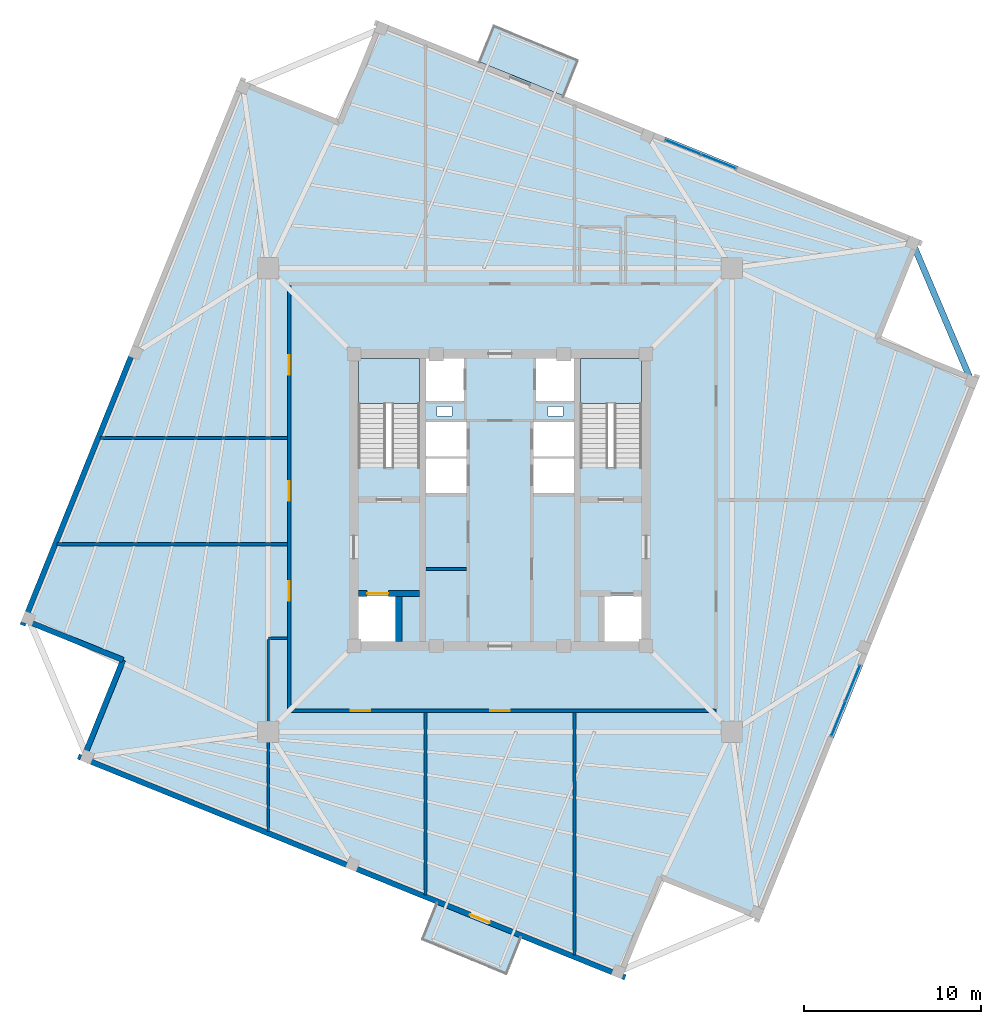
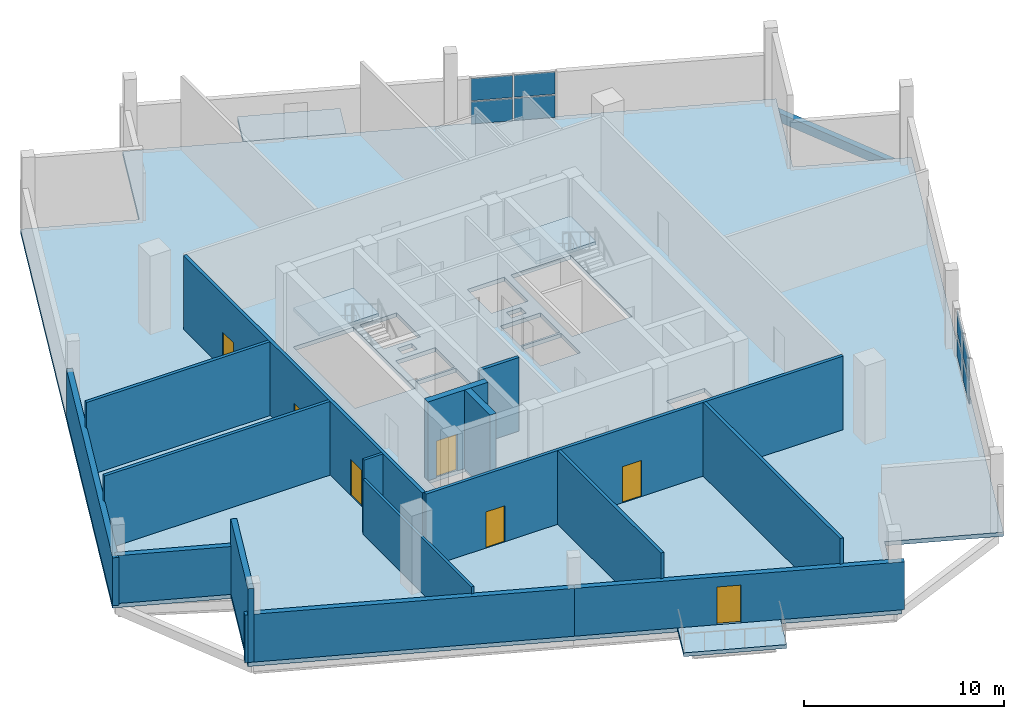
# One storey, part 5 of 9: 16 walls, 8 plates, 7 doors, 5 slabs, 1 beam, 7 openings, 4 elements without a shape of their own.
"""IFC4 building model written with IfcOpenShell, lengths in metres."""

from ifc_helpers import new_model, si_unit, direction, frame, frame_2d, origin, origin_2d, place, context, subcontext, project, spatial, polyline, rectangle, outline, extrude, source, transform, mapped, material, layer, layer_set, material_profile, profile_set, type_object, element, fill, aggregate, save


model = new_model("IFC4")

# Units and contexts
model_context = context("Model", 3, precision=1e-05, world=origin(), true_north=direction((0.0, 1.0)))
body_context = subcontext(model_context, "Body", "Model", "MODEL_VIEW")
ifc_project = project(units=[si_unit("LENGTHUNIT", "METRE"), si_unit("AREAUNIT", "SQUARE_METRE"), si_unit("VOLUMEUNIT", "CUBIC_METRE"), si_unit("PLANEANGLEUNIT", "RADIAN"), si_unit("MASSUNIT", "GRAM", prefix="KILO"), si_unit("THERMODYNAMICTEMPERATUREUNIT", "KELVIN")], contexts=[model_context])

# Site, building, storey
site_placement = place(None, origin())
site = spatial("IfcSite", under=ifc_project, at=site_placement, CompositionType="ELEMENT")
building_placement = place(site_placement, origin())
building = spatial("IfcBuilding", under=site, at=building_placement, Name="Kosmvard Interchange Tower", CompositionType="ELEMENT")
storey_placement = place(building_placement, frame((0.0, 0.0, 316.800048828125)))
storey = spatial("IfcBuildingStorey", under=building, at=storey_placement, Name="L78", CompositionType="ELEMENT", Elevation=316.800048828125)

# Beam
ifc_material_1 = material(Name="Precast concrete C45/55", Category="concrete")
ifc_material_profile = material_profile(ifc_material_1, rectangle(XDim=0.35009765625, YDim=0.550048828125, at=origin_2d()), Name="SL 350x550")
ifc_profile_set = profile_set([ifc_material_profile], Name="Precast concrete C45/55")
beam_type = type_object("IfcBeamType", Name="Precast Spandrel Lintel 350x550 C45/55", PredefinedType="LINTEL", material=ifc_profile_set)
shared_shape_1 = source(origin(), body_context, "Body", "SweptSolid", [
    extrude(rectangle(XDim=0.35009765625, YDim=0.550048828125, at=origin_2d()), origin(), (0.0, 0.0, 1.0), 8.4853515625),
])
beam_placement = place(storey_placement, frame((26.61962890625, 6.690185546875, -0.525146484375), z_axis=(-0.390725696857, 0.920507159025, 0.0), x_axis=(-0.920507159025, -0.390725696857, 0.0)))
element("IfcBeam", 1, at=beam_placement, inside=storey, type_object=beam_type, Name="BM-L78-SL1", PredefinedType="LINTEL", context=body_context, shape_type="MappedRepresentation", body=[
    mapped(shared_shape_1, transform((0.0, 0.0, 0.0), scale=1.0)),
])

# Slab
ifc_material_2 = material(Name="Concrete C50/60", Category="concrete")
ifc_layer_1 = layer(ifc_material_2, 0.25, Name="Concrete C50/60")
ifc_layer_set_1 = layer_set([ifc_layer_1], Name="Concrete C50/60")
slab_type_1 = type_object("IfcSlabType", Name="Hotel Acoustic Floor Slab 250 C50/60", PredefinedType="FLOOR", material=ifc_layer_set_1)
slab_1_placement = place(storey_placement, frame((0.0, 0.0, -0.25)))
element("IfcSlab", 2, at=slab_1_placement, inside=storey, type_object=slab_type_1, Name="L78 Structural Floor Slab", PredefinedType="FLOOR", context=body_context, shape_type="SweptSolid", body=[
    extrude(outline(polyline([(14.6806640625, -23.727294921875), (27.042724609375, 6.869873046875), (21.4794921875, 9.117431640625), (23.727294921875, 14.6806640625), (-6.869873046875, 27.042724609375), (-9.117431640625, 21.4794921875), (-14.6806640625, 23.727294921875), (-27.042724609375, -6.869873046875), (-21.4794921875, -9.117431640625), (-23.727294921875, -14.6806640625), (6.869873046875, -27.042724609375), (9.117431640625, -21.4794921875), (14.6806640625, -23.727294921875)]), holes=[polyline([(-8.0, 1.8349609375), (-4.5400390625, 1.8349609375), (-4.5400390625, 8.0), (-8.0, 8.0), (-8.0, 1.8349609375)]), polyline([(4.5400390625, 1.8349609375), (8.0, 1.8349609375), (8.0, 8.0), (4.5400390625, 8.0), (4.5400390625, 1.8349609375)]), polyline([(-8.0, -8.0), (-5.800048828125, -8.0), (-5.800048828125, -5.39990234375), (-8.0, -5.39990234375), (-8.0, -8.0)]), polyline([(5.800048828125, -8.0), (8.0, -8.0), (8.0, -5.39990234375), (5.800048828125, -5.39990234375), (5.800048828125, -8.0)]), polyline([(-4.179931640625, 0.39990234375), (-1.8798828125, 0.39990234375), (-1.8798828125, 2.340087890625), (-4.179931640625, 2.340087890625), (-4.179931640625, 0.39990234375)]), polyline([(-4.179931640625, 2.4599609375), (-1.8798828125, 2.4599609375), (-1.8798828125, 4.39990234375), (-4.179931640625, 4.39990234375), (-4.179931640625, 2.4599609375)]), polyline([(1.8798828125, 0.39990234375), (4.179931640625, 0.39990234375), (4.179931640625, 2.340087890625), (1.8798828125, 2.340087890625), (1.8798828125, 0.39990234375)]), polyline([(1.8798828125, 2.4599609375), (4.179931640625, 2.4599609375), (4.179931640625, 4.39990234375), (1.8798828125, 4.39990234375), (1.8798828125, 2.4599609375)]), polyline([(-4.179931640625, 5.60009765625), (-2.0400390625, 5.60009765625), (-2.0400390625, 8.0), (-4.179931640625, 8.0), (-4.179931640625, 5.60009765625)]), polyline([(2.0400390625, 5.60009765625), (4.179931640625, 5.60009765625), (4.179931640625, 8.0), (2.0400390625, 8.0), (2.0400390625, 5.60009765625)]), polyline([(-3.56494140625, 4.739990234375), (-2.715087890625, 4.739990234375), (-2.715087890625, 5.2900390625), (-3.56494140625, 5.2900390625), (-3.56494140625, 4.739990234375)]), polyline([(2.715087890625, 4.739990234375), (3.56494140625, 4.739990234375), (3.56494140625, 5.2900390625), (2.715087890625, 5.2900390625), (2.715087890625, 4.739990234375)])]), origin(), (0.0, 0.0, 1.0), 0.25),
])

# Stair, slab
stair_type = type_object("IfcStairType", Name="Dog-Leg Core Exit Stair H4800 C50/60", PredefinedType="HALF_TURN_STAIR", material=ifc_material_2)
stair_1_placement = place(storey_placement, origin())
stair_1 = element("IfcStair", 3, at=stair_1_placement, inside=storey, type_object=stair_type, Name="L78 Protected Exit Stair ST-1", PredefinedType="HALF_TURN_STAIR")
ifc_layer_2 = layer(ifc_material_2, 0.199951171875, Name="Concrete C50/60")
ifc_layer_set_2 = layer_set([ifc_layer_2], Name="Concrete C50/60")
slab_type_2 = type_object("IfcSlabType", Name="Stair Half-Landing Slab 200 C50/60", PredefinedType="LANDING", material=ifc_layer_set_2)
slab_2_placement = place(storey_placement, frame((0.0, 0.0, 2.199951171875)))
slab_2 = element("IfcSlab", 4, at=slab_2_placement, type_object=slab_type_2, Name="ST-1 landing 1", PredefinedType="LANDING", context=body_context, shape_type="SweptSolid", body=[
    extrude(outline(polyline([(-4.5400390625, 5.43994140625), (-4.5400390625, 8.0), (-8.0, 8.0), (-8.0, 5.43994140625), (-4.5400390625, 5.43994140625)])), origin(), (0.0, 0.0, 1.0), 0.199951171875),
])
aggregate(stair_1, [slab_2])

stair_2_placement = place(storey_placement, origin())
stair_2 = element("IfcStair", 5, at=stair_2_placement, inside=storey, type_object=stair_type, Name="L78 Protected Exit Stair ST-2", PredefinedType="HALF_TURN_STAIR")
slab_3_placement = place(storey_placement, frame((0.0, 0.0, 2.199951171875)))
slab_3 = element("IfcSlab", 6, at=slab_3_placement, type_object=slab_type_2, Name="ST-2 landing 1", PredefinedType="LANDING", context=body_context, shape_type="SweptSolid", body=[
    extrude(outline(polyline([(8.0, 5.43994140625), (8.0, 8.0), (4.5400390625, 8.0), (4.5400390625, 5.43994140625), (8.0, 5.43994140625)])), origin(), (0.0, 0.0, 1.0), 0.199951171875),
])
aggregate(stair_2, [slab_3])

# Slabs
ifc_layer_3 = layer(ifc_material_2, 0.22998046875, Name="Concrete C50/60")
ifc_layer_set_3 = layer_set([ifc_layer_3], Name="Concrete C50/60")
slab_type_3 = type_object("IfcSlabType", Name="Tree-Planter Cantilever Balcony Slab 230 C50/60", PredefinedType="FLOOR", material=ifc_layer_set_3)
slab_4_placement = place(storey_placement, frame((0.0, 0.0, -0.22998046875)))
element("IfcSlab", 7, at=slab_4_placement, inside=storey, type_object=slab_type_3, Name="L78 Outdoor Terrace Balcony Slab OBD-L78-E", PredefinedType="FLOOR", context=body_context, shape_type="SweptSolid", body=[
    extrude(outline(polyline([(3.607177734375, 22.8095703125), (4.431396484375, 24.849365234375), (-0.389892578125, 26.79736328125), (-1.214111328125, 24.757568359375), (3.607177734375, 22.8095703125)])), origin(), (0.0, 0.0, 1.0), 0.22998046875),
])
slab_5_placement = place(storey_placement, frame((0.0, 0.0, -0.22998046875)))
element("IfcSlab", 8, at=slab_5_placement, inside=storey, type_object=slab_type_3, Name="L78 Outdoor Terrace Balcony Slab OBD-L78-W", PredefinedType="FLOOR", context=body_context, shape_type="SweptSolid", body=[
    extrude(outline(polyline([(0.389892578125, -26.79736328125), (1.214111328125, -24.757568359375), (-3.607177734375, -22.8095703125), (-4.431396484375, -24.849365234375), (0.389892578125, -26.79736328125)])), origin(), (0.0, 0.0, 1.0), 0.22998046875),
])

# Curtain wall, plates
ifc_material_3 = material(Name="Architectural anodised aluminium", Category="aluminium")
ifc_layer_4 = layer(ifc_material_3, 0.239990234375, Name="Architectural anodised aluminium")
ifc_layer_set_4 = layer_set([ifc_layer_4], Name="Architectural anodised aluminium")
curtain_wall_type = type_object("IfcCurtainWallType", Name="CW-5 Public Observation Panorama Curtain Wall", PredefinedType="NOTDEFINED", material=ifc_layer_set_4)
curtain_wall_1_placement = place(storey_placement, origin())
curtain_wall_1 = element("IfcCurtainWall", 9, at=curtain_wall_1_placement, inside=storey, type_object=curtain_wall_type, Name="L78 Observation Panorama Curtain Wall S", PredefinedType="NOTDEFINED")
ifc_material_4 = material(Name="Laminated panoramic double glazing", Category="glass")
ifc_layer_5 = layer(ifc_material_4, 0.0380859375, Name="Laminated panoramic double glazing")
ifc_layer_set_5 = layer_set([ifc_layer_5], Name="Laminated panoramic double glazing")
plate_type = type_object("IfcPlateType", Name="Observation Acoustic Curtain Panel 38", PredefinedType="CURTAIN_PANEL", material=ifc_layer_set_5)
shared_shape_2 = source(origin(), body_context, "Body", "SweptSolid", [
    extrude(rectangle(XDim=2.080078125, YDim=0.0380859375, at=origin_2d()), origin(), (0.0, 0.0, 1.0), 1.35498046875),
])
plate_1_placement = place(storey_placement, frame((19.114501953125, -12.3388671875, 0.070068359375), z_axis=(0.0, 0.0, 1.0), x_axis=(0.374606588108, 0.927183856711, 0.0)))
plate_1 = element("IfcPlate", 10, at=plate_1_placement, type_object=plate_type, Name="CW-5 panel 1.1", PredefinedType="CURTAIN_PANEL", context=body_context, shape_type="MappedRepresentation", body=[
    mapped(shared_shape_2, transform((0.0, 0.0, 0.0), scale=1.0)),
])
plate_2_placement = place(storey_placement, frame((19.114501953125, -12.3388671875, 1.494873046875), z_axis=(0.0, 0.0, 1.0), x_axis=(0.374606588108, 0.927183856711, 0.0)))
plate_2 = element("IfcPlate", 11, at=plate_2_placement, type_object=plate_type, Name="CW-5 panel 1.2", PredefinedType="CURTAIN_PANEL", context=body_context, shape_type="MappedRepresentation", body=[
    mapped(shared_shape_2, transform((0.0, 0.0, 0.0), scale=1.0)),
])
plate_3_placement = place(storey_placement, frame((19.923828125, -10.336181640625, 0.070068359375), z_axis=(0.0, 0.0, 1.0), x_axis=(0.374606588108, 0.927183856711, 0.0)))
plate_3 = element("IfcPlate", 12, at=plate_3_placement, type_object=plate_type, Name="CW-5 panel 2.1", PredefinedType="CURTAIN_PANEL", context=body_context, shape_type="MappedRepresentation", body=[
    mapped(shared_shape_2, transform((0.0, 0.0, 0.0), scale=1.0)),
])
plate_4_placement = place(storey_placement, frame((19.923828125, -10.336181640625, 1.494873046875), z_axis=(0.0, 0.0, 1.0), x_axis=(0.374606588108, 0.927183856711, 0.0)))
plate_4 = element("IfcPlate", 13, at=plate_4_placement, type_object=plate_type, Name="CW-5 panel 2.2", PredefinedType="CURTAIN_PANEL", context=body_context, shape_type="MappedRepresentation", body=[
    mapped(shared_shape_2, transform((0.0, 0.0, 0.0), scale=1.0)),
])
aggregate(curtain_wall_1, [plate_1, plate_2, plate_3, plate_4])

curtain_wall_2_placement = place(storey_placement, origin())
curtain_wall_2 = element("IfcCurtainWall", 14, at=curtain_wall_2_placement, inside=storey, type_object=curtain_wall_type, Name="L78 Observation Panorama Curtain Wall E", PredefinedType="NOTDEFINED")
plate_5_placement = place(storey_placement, frame((12.3388671875, 19.114501953125, 0.070068359375), z_axis=(0.0, 0.0, 1.0), x_axis=(-0.927183856711, 0.374606588108, 0.0)))
plate_5 = element("IfcPlate", 15, at=plate_5_placement, type_object=plate_type, Name="CW-5 panel 1.1", PredefinedType="CURTAIN_PANEL", context=body_context, shape_type="MappedRepresentation", body=[
    mapped(shared_shape_2, transform((0.0, 0.0, 0.0), scale=1.0)),
])
plate_6_placement = place(storey_placement, frame((12.3388671875, 19.114501953125, 1.494873046875), z_axis=(0.0, 0.0, 1.0), x_axis=(-0.927183856711, 0.374606588108, 0.0)))
plate_6 = element("IfcPlate", 16, at=plate_6_placement, type_object=plate_type, Name="CW-5 panel 1.2", PredefinedType="CURTAIN_PANEL", context=body_context, shape_type="MappedRepresentation", body=[
    mapped(shared_shape_2, transform((0.0, 0.0, 0.0), scale=1.0)),
])
plate_7_placement = place(storey_placement, frame((10.336181640625, 19.923828125, 0.070068359375), z_axis=(0.0, 0.0, 1.0), x_axis=(-0.927183856711, 0.374606588108, 0.0)))
plate_7 = element("IfcPlate", 17, at=plate_7_placement, type_object=plate_type, Name="CW-5 panel 2.1", PredefinedType="CURTAIN_PANEL", context=body_context, shape_type="MappedRepresentation", body=[
    mapped(shared_shape_2, transform((0.0, 0.0, 0.0), scale=1.0)),
])
plate_8_placement = place(storey_placement, frame((10.336181640625, 19.923828125, 1.494873046875), z_axis=(0.0, 0.0, 1.0), x_axis=(-0.927183856711, 0.374606588108, 0.0)))
plate_8 = element("IfcPlate", 18, at=plate_8_placement, type_object=plate_type, Name="CW-5 panel 2.2", PredefinedType="CURTAIN_PANEL", context=body_context, shape_type="MappedRepresentation", body=[
    mapped(shared_shape_2, transform((0.0, 0.0, 0.0), scale=1.0)),
])
aggregate(curtain_wall_2, [plate_5, plate_6, plate_7, plate_8])

# Walls
ifc_material_5 = material(Name="Acoustic gypsum partition system")
ifc_layer_6 = layer(ifc_material_5, 0.14990234375, Name="Acoustic gypsum partition system")
ifc_layer_set_6 = layer_set([ifc_layer_6], Name="Acoustic gypsum partition system")
wall_type_1 = type_object("IfcWallType", Name="Acoustic Suite & Meeting Partition 150", PredefinedType="PARTITIONING", material=ifc_layer_set_6)
wall_1_placement = place(storey_placement, frame((-11.9951171875, -7.800048828125, 0.0), z_axis=(0.0, 0.0, 1.0), x_axis=(-1.0, 0.0, 0.0)))
element("IfcWall", 19, at=wall_1_placement, inside=storey, type_object=wall_type_1, Name="L78 Room Partition 08.1", PredefinedType="PARTITIONING", context=body_context, shape_type="SweptSolid", body=[
    extrude(rectangle(XDim=1.0859375, YDim=0.14990234375, at=frame_2d((0.54296875, 0.0))), origin(), (0.0, 0.0, 1.0), 4.5),
])
wall_2_placement = place(storey_placement, frame((-13.0810546875, -7.875, 0.0), z_axis=(0.0, 0.0, 1.0), x_axis=(0.0, -1.0, 0.0)))
element("IfcWall", 20, at=wall_2_placement, inside=storey, type_object=wall_type_1, Name="L78 Room Partition 09.1", PredefinedType="PARTITIONING", context=body_context, shape_type="SweptSolid", body=[
    extrude(rectangle(XDim=10.8427734375, YDim=0.14990234375, at=frame_2d((5.42138671875, 0.0))), origin(), (0.0, 0.0, 1.0), 3.35986328125),
])

# Wall, openings, doors
ifc_material_6 = material(Name="Fire-rated gypsum partition system")
ifc_layer_7 = layer(ifc_material_6, 0.179931640625, Name="Fire-rated gypsum partition system")
ifc_layer_set_7 = layer_set([ifc_layer_7], Name="Fire-rated gypsum partition system")
wall_type_2 = type_object("IfcWallType", Name="Corridor & Hotel Compartment Partition 180", PredefinedType="PARTITIONING", material=ifc_layer_set_7)
wall_3_placement = place(storey_placement, frame((-11.89990234375, -11.89990234375, 0.0), z_axis=(0.0, 0.0, 1.0), x_axis=(1.0, 0.0, 0.0)))
wall_3 = element("IfcWall", 21, at=wall_3_placement, inside=storey, type_object=wall_type_2, Name="L78 Corridor Wall CS", PredefinedType="PARTITIONING", context=body_context, shape_type="SweptSolid", body=[
    extrude(rectangle(XDim=24.099853515625, YDim=0.179931640625, at=frame_2d((12.0498046875, 0.0))), origin(), (0.0, 0.0, 1.0), 4.5),
])
opening_1_placement = place(wall_3_placement, frame((11.35009765625, 0.0, 0.0)))
opening_1 = element("IfcOpeningElement", 22, at=opening_1_placement, cuts=wall_3, Name="Opening L78-D07", PredefinedType="OPENING", context=body_context, shape_type="SweptSolid", body=[
    extrude(rectangle(XDim=1.10009765625, YDim=2.199951171875, at=frame_2d((0.550048828125, 1.10009765625))), frame((0.0, 0.10009765625, 0.0), z_axis=(0.0, -1.0, 0.0), x_axis=(1.0, 0.0, 0.0)), (0.0, 0.0, 1.0), 0.199951171875),
])
opening_2_placement = place(wall_3_placement, frame((3.46435546875, 0.0, 0.0)))
opening_2 = element("IfcOpeningElement", 23, at=opening_2_placement, cuts=wall_3, Name="Opening L78-D08", PredefinedType="OPENING", context=body_context, shape_type="SweptSolid", body=[
    extrude(rectangle(XDim=1.10009765625, YDim=2.199951171875, at=frame_2d((0.550048828125, 1.10009765625))), frame((0.0, 0.10009765625, 0.0), z_axis=(0.0, -1.0, 0.0), x_axis=(1.0, 0.0, 0.0)), (0.0, 0.0, 1.0), 0.199951171875),
])
ifc_material_7 = material(Name="Engineered oak fire-rated timber", Category="wood")
door_type_1 = type_object("IfcDoorType", Name="Office Suite Entrance Door 1100x2200 FD30S", OperationType="NOTDEFINED", PredefinedType="DOOR", material=ifc_material_7)
shared_shape_3 = source(origin(), body_context, "Body", "SweptSolid", [
    extrude(rectangle(XDim=1.10009765625, YDim=2.199951171875, at=frame_2d((0.550048828125, 1.10009765625))), frame((0.0, 0.02490234375, 0.0), z_axis=(0.0, -1.0, 0.0), x_axis=(1.0, 0.0, 0.0)), (0.0, 0.0, 1.0), 0.050048828125),
])
door_1_placement = place(opening_1_placement, frame((1.10009765625, 0.0, 0.0), z_axis=(0.0, 0.0, 1.0), x_axis=(-1.0, 0.0, 0.0)))
door_1 = element("IfcDoor", 24, at=door_1_placement, inside=storey, type_object=door_type_1, Name="L78 Sunset Viewing Salon Door", OperationType="SINGLE_SWING_LEFT", OverallHeight=2.199951171875, OverallWidth=1.10009765625, PredefinedType="DOOR", context=body_context, shape_type="MappedRepresentation", body=[
    mapped(shared_shape_3, transform((0.0, 0.0, 0.0), scale=1.0)),
])
fill(opening_1, door_1)
door_2_placement = place(opening_2_placement, frame((1.10009765625, 0.0, 0.0), z_axis=(0.0, 0.0, 1.0), x_axis=(-1.0, 0.0, 0.0)))
door_2 = element("IfcDoor", 25, at=door_2_placement, inside=storey, type_object=door_type_1, Name="L78 Lookout Beverage Pantry Door", OperationType="SINGLE_SWING_RIGHT", OverallHeight=2.199951171875, OverallWidth=1.10009765625, PredefinedType="DOOR", context=body_context, shape_type="MappedRepresentation", body=[
    mapped(shared_shape_3, transform((0.0, 0.0, 0.0), scale=1.0)),
])
fill(opening_2, door_2)

wall_4_placement = place(storey_placement, frame((-11.89990234375, -11.800048828125, 0.0), z_axis=(0.0, 0.0, 1.0), x_axis=(0.0, 1.0, 0.0)))
wall_4 = element("IfcWall", 26, at=wall_4_placement, inside=storey, type_object=wall_type_2, Name="L78 Corridor Wall CW", PredefinedType="PARTITIONING", context=body_context, shape_type="SweptSolid", body=[
    extrude(rectangle(XDim=23.900146484375, YDim=0.179931640625, at=frame_2d((11.9501953125, 0.0))), origin(), (0.0, 0.0, 1.0), 4.5),
])
opening_3_placement = place(wall_4_placement, frame((18.885498046875, 0.0, 0.0)))
opening_3 = element("IfcOpeningElement", 27, at=opening_3_placement, cuts=wall_4, Name="Opening L78-D03", PredefinedType="OPENING", context=body_context, shape_type="SweptSolid", body=[
    extrude(rectangle(XDim=1.10009765625, YDim=2.199951171875, at=frame_2d((0.550048828125, 1.10009765625))), frame((0.0, 0.10009765625, 0.0), z_axis=(0.0, -1.0, 0.0), x_axis=(1.0, 0.0, 0.0)), (0.0, 0.0, 1.0), 0.199951171875),
])
opening_4_placement = place(wall_4_placement, frame((6.10009765625, 0.0, 0.0)))
opening_4 = element("IfcOpeningElement", 28, at=opening_4_placement, cuts=wall_4, Name="Opening L78-D09", PredefinedType="OPENING", context=body_context, shape_type="SweptSolid", body=[
    extrude(rectangle(XDim=1.10009765625, YDim=2.199951171875, at=frame_2d((0.550048828125, 1.10009765625))), frame((0.0, 0.10009765625, 0.0), z_axis=(0.0, -1.0, 0.0), x_axis=(1.0, 0.0, 0.0)), (0.0, 0.0, 1.0), 0.199951171875),
])
opening_5_placement = place(wall_4_placement, frame((11.75, 0.0, 0.0)))
opening_5 = element("IfcOpeningElement", 29, at=opening_5_placement, cuts=wall_4, Name="Opening L78-D10", PredefinedType="OPENING", context=body_context, shape_type="SweptSolid", body=[
    extrude(rectangle(XDim=1.10009765625, YDim=2.199951171875, at=frame_2d((0.550048828125, 1.10009765625))), frame((0.0, 0.10009765625, 0.0), z_axis=(0.0, -1.0, 0.0), x_axis=(1.0, 0.0, 0.0)), (0.0, 0.0, 1.0), 0.199951171875),
])
door_3_placement = place(opening_3_placement, origin())
door_3 = element("IfcDoor", 30, at=door_3_placement, inside=storey, type_object=door_type_1, Name="L78 Sky Telescope Briefing Room Door", OperationType="SINGLE_SWING_LEFT", OverallHeight=2.199951171875, OverallWidth=1.10009765625, PredefinedType="DOOR", context=body_context, shape_type="MappedRepresentation", body=[
    mapped(shared_shape_3, transform((0.0, 0.0, 0.0), scale=1.0)),
])
fill(opening_3, door_3)
door_4_placement = place(opening_4_placement, origin())
door_4 = element("IfcDoor", 31, at=door_4_placement, inside=storey, type_object=door_type_1, Name="L78 Panoramic Lookout Gallery West Door", OperationType="SINGLE_SWING_LEFT", OverallHeight=2.199951171875, OverallWidth=1.10009765625, PredefinedType="DOOR", context=body_context, shape_type="MappedRepresentation", body=[
    mapped(shared_shape_3, transform((0.0, 0.0, 0.0), scale=1.0)),
])
fill(opening_4, door_4)
door_5_placement = place(opening_5_placement, origin())
door_5 = element("IfcDoor", 32, at=door_5_placement, inside=storey, type_object=door_type_1, Name="L78 Horizon Private Viewing Study Door", OperationType="SINGLE_SWING_RIGHT", OverallHeight=2.199951171875, OverallWidth=1.10009765625, PredefinedType="DOOR", context=body_context, shape_type="MappedRepresentation", body=[
    mapped(shared_shape_3, transform((0.0, 0.0, 0.0), scale=1.0)),
])
fill(opening_5, door_5)

# Walls
wall_5_placement = place(storey_placement, frame((4.199951171875, -11.9951171875, 0.0), z_axis=(0.0, 0.0, 1.0), x_axis=(0.0, -1.0, 0.0)))
element("IfcWall", 33, at=wall_5_placement, inside=storey, type_object=wall_type_2, Name="L78 Room Partition 04.1", PredefinedType="PARTITIONING", context=body_context, shape_type="SweptSolid", body=[
    extrude(rectangle(XDim=13.70458984375, YDim=0.179931640625, at=frame_2d((6.852294921875, 0.0))), origin(), (0.0, 0.0, 1.0), 4.5),
])
wall_6_placement = place(storey_placement, frame((-4.199951171875, -11.9951171875, 0.0), z_axis=(0.0, 0.0, 1.0), x_axis=(0.0, -1.0, 0.0)))
element("IfcWall", 34, at=wall_6_placement, inside=storey, type_object=wall_type_2, Name="L78 Room Partition 05.1", PredefinedType="PARTITIONING", context=body_context, shape_type="SweptSolid", body=[
    extrude(rectangle(XDim=10.310791015625, YDim=0.179931640625, at=frame_2d((5.1552734375, 0.0))), origin(), (0.0, 0.0, 1.0), 4.5),
])
wall_7_placement = place(storey_placement, frame((-11.9951171875, -2.5, 0.0), z_axis=(0.0, 0.0, 1.0), x_axis=(-1.0, 0.0, 0.0)))
element("IfcWall", 35, at=wall_7_placement, inside=storey, type_object=wall_type_2, Name="L78 Room Partition 06.1", PredefinedType="PARTITIONING", context=body_context, shape_type="SweptSolid", body=[
    extrude(rectangle(XDim=13.017822265625, YDim=0.179931640625, at=frame_2d((6.5087890625, 0.0))), origin(), (0.0, 0.0, 1.0), 4.5),
])
wall_8_placement = place(storey_placement, frame((-11.9951171875, 3.5, 0.0), z_axis=(0.0, 0.0, 1.0), x_axis=(-1.0, 0.0, 0.0)))
element("IfcWall", 36, at=wall_8_placement, inside=storey, type_object=wall_type_2, Name="L78 Room Partition 07.1", PredefinedType="PARTITIONING", context=body_context, shape_type="SweptSolid", body=[
    extrude(rectangle(XDim=10.593505859375, YDim=0.179931640625, at=frame_2d((5.296875, 0.0))), origin(), (0.0, 0.0, 1.0), 4.5),
])
ifc_material_8 = material(Name="Concrete blockwork masonry", Category="masonry")
ifc_layer_8 = layer(ifc_material_8, 0.179931640625, Name="Concrete blockwork masonry")
ifc_layer_set_8 = layer_set([ifc_layer_8], Name="Concrete blockwork masonry")
wall_type_3 = type_object("IfcWallType", Name="Riser & Lift Bank Divider Wall 180", PredefinedType="PARTITIONING", material=ifc_layer_set_8)
wall_9_placement = place(storey_placement, frame((-4.169921875, -3.89990234375, 0.0), z_axis=(0.0, 0.0, 1.0), x_axis=(1.0, 0.0, 0.0)))
element("IfcWall", 37, at=wall_9_placement, inside=storey, type_object=wall_type_3, Name="L78 West Bank Divider BD1", PredefinedType="PARTITIONING", context=body_context, shape_type="SweptSolid", body=[
    extrude(rectangle(XDim=2.280029296875, YDim=0.179931640625, at=frame_2d((1.14013671875, 0.0))), origin(), (0.0, 0.0, 1.0), 4.5),
])

# Wall, opening, door
ifc_material_9 = material(Name="Concrete C60/75", Category="concrete")
ifc_layer_9 = layer(ifc_material_9, 0.360107421875, Name="Concrete C60/75")
ifc_layer_set_9 = layer_set([ifc_layer_9], Name="Concrete C60/75")
wall_type_4 = type_object("IfcWallType", Name="Stair & Lift Shaft Shear Wall 360 C60/75", PredefinedType="SHEAR", material=ifc_layer_set_9)
wall_10_placement = place(storey_placement, frame((-8.0, -5.280029296875, 0.0), z_axis=(0.0, 0.0, 1.0), x_axis=(1.0, 0.0, 0.0)))
wall_10 = element("IfcWall", 38, at=wall_10_placement, inside=storey, type_object=wall_type_4, Name="L78 Shaft Shear Wall SW-FF1", PredefinedType="SHEAR", context=body_context, shape_type="SweptSolid", body=[
    extrude(rectangle(XDim=3.4599609375, YDim=0.360107421875, at=frame_2d((1.72998046875, 0.0))), origin(), (0.0, 0.0, 1.0), 4.800048828125),
])
opening_6_placement = place(wall_10_placement, frame((0.5, 0.0, 0.0)))
opening_6 = element("IfcOpeningElement", 39, at=opening_6_placement, cuts=wall_10, Name="Opening LD-FF-1-L78", PredefinedType="OPENING", context=body_context, shape_type="SweptSolid", body=[
    extrude(rectangle(XDim=1.199951171875, YDim=2.25, at=frame_2d((0.60009765625, 1.125))), frame((0.0, 0.18994140625, 0.0), z_axis=(0.0, -1.0, 0.0), x_axis=(1.0, 0.0, 0.0)), (0.0, 0.0, 1.0), 0.380126953125),
])
ifc_material_10 = material(Name="Brushed stainless steel sliding leaf", Category="steel")
door_type_2 = type_object("IfcDoorType", Name="Firefighting Lift Sliding Landing Door 1200x2250 EI120", OperationType="DOUBLE_DOOR_SLIDING", PredefinedType="DOOR", material=ifc_material_10)
shared_shape_4 = source(origin(), body_context, "Body", "SweptSolid", [
    extrude(rectangle(XDim=1.199951171875, YDim=2.25, at=frame_2d((0.60009765625, 1.125))), frame((0.0, 0.02490234375, 0.0), z_axis=(0.0, -1.0, 0.0), x_axis=(1.0, 0.0, 0.0)), (0.0, 0.0, 1.0), 0.050048828125),
])
door_6_placement = place(opening_6_placement, origin())
door_6 = element("IfcDoor", 40, at=door_6_placement, inside=storey, type_object=door_type_2, Name="Lift FF-1 Landing Door L78", OperationType="DOUBLE_DOOR_SLIDING", OverallHeight=2.25, OverallWidth=1.199951171875, PredefinedType="DOOR", context=body_context, shape_type="MappedRepresentation", body=[
    mapped(shared_shape_4, transform((0.0, 0.0, 0.0), scale=1.0)),
])
fill(opening_6, door_6)

# Walls
wall_11_placement = place(storey_placement, frame((-5.7099609375, -8.0, 0.0), z_axis=(0.0, 0.0, 1.0), x_axis=(0.0, 1.0, 0.0)))
element("IfcWall", 41, at=wall_11_placement, inside=storey, type_object=wall_type_4, Name="L78 Shaft Shear Wall SW-SM1", PredefinedType="SHEAR", context=body_context, shape_type="SweptSolid", body=[
    extrude(rectangle(XDim=2.5400390625, YDim=0.360107421875, at=frame_2d((1.27001953125, 0.0))), origin(), (0.0, 0.0, 1.0), 4.800048828125),
])
ifc_layer_10 = layer(ifc_material_1, 0.31005859375, Name="Precast concrete C45/55")
ifc_layer_set_10 = layer_set([ifc_layer_10], Name="Precast concrete C45/55")
wall_type_5 = type_object("IfcWallType", Name="Upper Tower Precast Pier Wall 310 C45/55", PredefinedType="STANDARD", material=ifc_layer_set_10)
wall_12_placement = place(storey_placement, frame((-26.8408203125, -6.7841796875, 0.0), z_axis=(0.0, 0.0, 1.0), x_axis=(0.927171722085, -0.374636620962, 0.0)))
element("IfcWall", 42, at=wall_12_placement, inside=storey, type_object=wall_type_5, Name="L78 Corner Precast Pier N-NW1", PredefinedType="STANDARD", context=body_context, shape_type="SweptSolid", body=[
    extrude(rectangle(XDim=6.0, YDim=0.31005859375, at=frame_2d((3.0, 0.0))), origin(), (0.0, 0.0, 1.0), 2.919921875),
])
wall_13_placement = place(storey_placement, frame((-21.27783203125, -9.031982421875, 0.0), z_axis=(0.0, 0.0, 1.0), x_axis=(-0.374602739196, -0.927185411764, 0.0)))
element("IfcWall", 43, at=wall_13_placement, inside=storey, type_object=wall_type_5, Name="L78 Corner Precast Pier N-NW2", PredefinedType="STANDARD", context=body_context, shape_type="SweptSolid", body=[
    extrude(rectangle(XDim=6.155029296875, YDim=0.31005859375, at=frame_2d((3.07763671875, 0.0))), origin(), (0.0, 0.0, 1.0), 4.5),
])
for number, where, z_axis, x_axis, name in (
    (44, (-20.718017578125, 8.37060546875, 0.0), (0.0, 0.0, 1.0), (-0.374600710538, -0.927186231382, 0.0), "L78 Facade Pier Wall NB"),
    (45, (-23.812744140625, -14.478759765625, 0.0), (0.0, 0.0, 1.0), (0.927179082881, -0.374618403537, 0.0), "L78 Facade Pier Wall WA"),
):
    element("IfcWall", number, at=place(storey_placement, frame(where, z_axis=z_axis, x_axis=x_axis)), inside=storey, type_object=wall_type_5, Name=name, PredefinedType="STANDARD", context=body_context, shape_type="SweptSolid", body=[
        extrude(rectangle(XDim=16.655029296875, YDim=0.31005859375, at=frame_2d((8.32763671875, 0.0))), origin(), (0.0, 0.0, 1.0), 2.919921875),
    ])

# Wall, opening, door
wall_14_placement = place(storey_placement, frame((-8.37060546875, -20.718017578125, 0.0), z_axis=(0.0, 0.0, 1.0), x_axis=(0.927186231382, -0.374600710538, 0.0)))
wall_14 = element("IfcWall", 46, at=wall_14_placement, inside=storey, type_object=wall_type_5, Name="L78 Facade Pier Wall WB", PredefinedType="STANDARD", context=body_context, shape_type="SweptSolid", body=[
    extrude(rectangle(XDim=16.655029296875, YDim=0.31005859375, at=frame_2d((8.32763671875, 0.0))), origin(), (0.0, 0.0, 1.0), 2.919921875),
])
opening_7_placement = place(wall_14_placement, frame((7.199951171875, 0.0, 0.0)))
opening_7 = element("IfcOpeningElement", 47, at=opening_7_placement, cuts=wall_14, Name="Opening L78-TDW", PredefinedType="OPENING", context=body_context, shape_type="SweptSolid", body=[
    extrude(rectangle(XDim=1.199951171875, YDim=2.300048828125, at=frame_2d((0.60009765625, 1.14990234375))), frame((0.0, 0.1650390625, 0.0), z_axis=(0.0, -1.0, 0.0), x_axis=(1.0, 0.0, 0.0)), (0.0, 0.0, 1.0), 0.330078125),
])
ifc_material_11 = material(Name="Anodised aluminium and safety glass", Category="aluminium")
door_type_3 = type_object("IfcDoorType", Name="Cascade Terrace Glazed Door 1200x2300", OperationType="NOTDEFINED", PredefinedType="DOOR", material=ifc_material_11)
shared_shape_5 = source(origin(), body_context, "Body", "SweptSolid", [
    extrude(rectangle(XDim=1.199951171875, YDim=2.300048828125, at=frame_2d((0.60009765625, 1.14990234375))), frame((0.0, 0.02490234375, 0.0), z_axis=(0.0, -1.0, 0.0), x_axis=(1.0, 0.0, 0.0)), (0.0, 0.0, 1.0), 0.050048828125),
])
door_7_placement = place(opening_7_placement, origin())
door_7 = element("IfcDoor", 48, at=door_7_placement, inside=storey, type_object=door_type_3, Name="L78 Terrace Access Door OBD-L78-W", OperationType="SINGLE_SWING_LEFT", OverallHeight=2.300048828125, OverallWidth=1.199951171875, PredefinedType="DOOR", context=body_context, shape_type="MappedRepresentation", body=[
    mapped(shared_shape_5, transform((0.0, 0.0, 0.0), scale=1.0)),
])
fill(opening_7, door_7)

save(model, "model.ifc")
